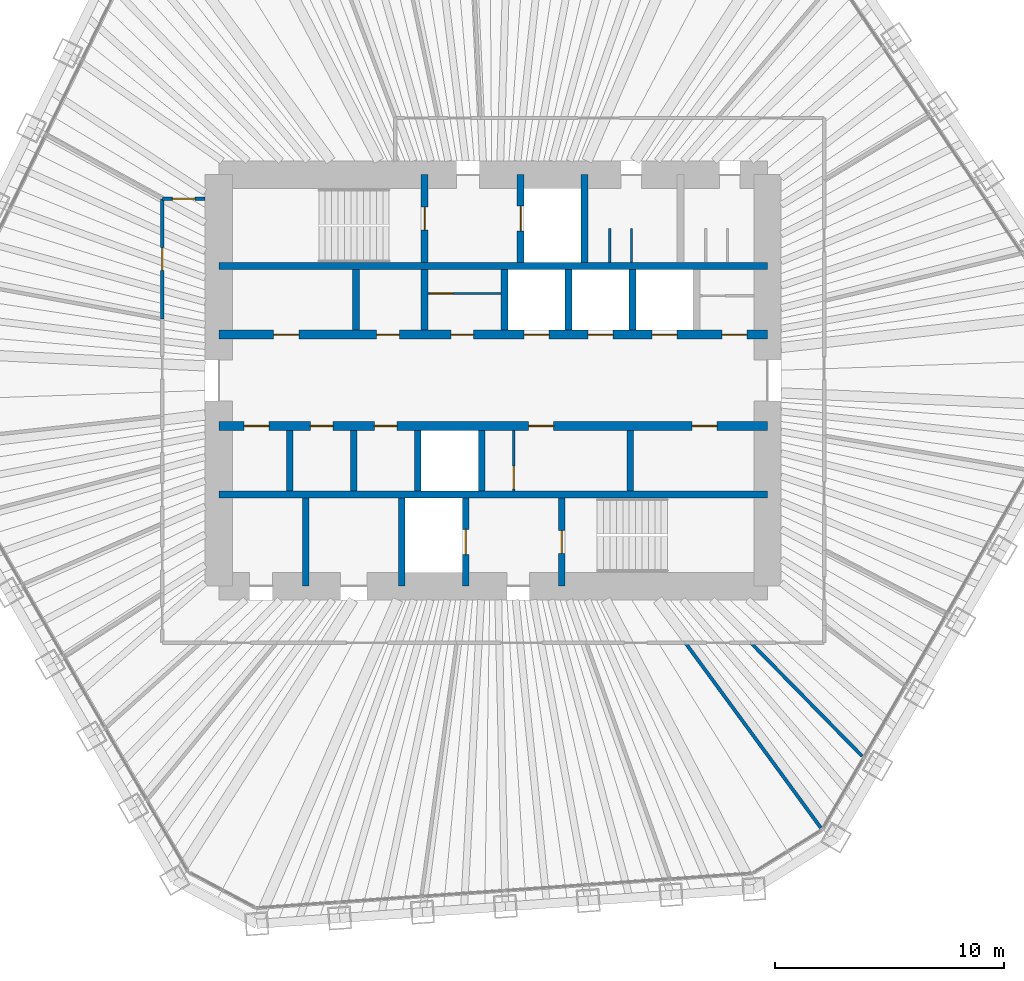
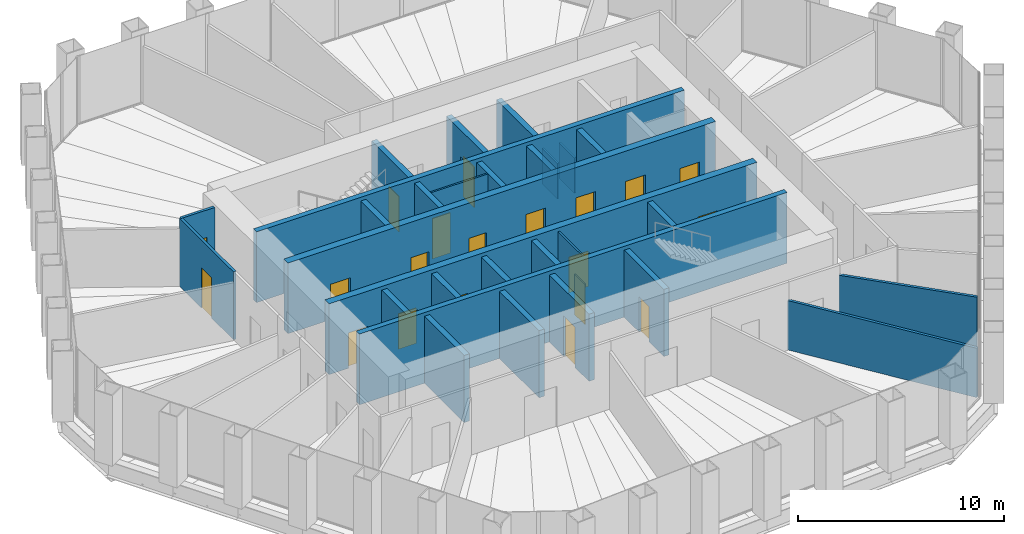
# One storey, part 11 of 14: 29 walls, 20 doors, 20 openings.
"""IFC4 building model written with IfcOpenShell, lengths in metres."""

from ifc_helpers import new_model, si_unit, direction, frame, frame_2d, origin, place, context, subcontext, project, spatial, rectangle, extrude, material, layer, layer_set, type_object, element, fill, save


model = new_model("IFC4")

# Units and contexts
model_context = context("Model", 3, precision=1e-05, world=origin(), true_north=direction((0.0, 1.0)))
body_context = subcontext(model_context, "Body", "Model", "MODEL_VIEW")
ifc_project = project(units=[si_unit("LENGTHUNIT", "METRE"), si_unit("AREAUNIT", "SQUARE_METRE"), si_unit("VOLUMEUNIT", "CUBIC_METRE"), si_unit("PLANEANGLEUNIT", "RADIAN"), si_unit("MASSUNIT", "GRAM", prefix="KILO")], contexts=[model_context])

# Site, building, storey
site_placement = place(None, origin())
site = spatial("IfcSite", under=ifc_project, at=site_placement, CompositionType="ELEMENT")
building_placement = place(site_placement, origin())
building = spatial("IfcBuilding", under=site, at=building_placement, Name="Qingtian Harvest Tower", CompositionType="ELEMENT")
storey_placement = place(building_placement, frame((0.0, 0.0, 243.39990234375)))
storey = spatial("IfcBuildingStorey", under=building, at=storey_placement, Name="L53", CompositionType="ELEMENT", Elevation=243.39990234375)

# Walls
ifc_material_1 = material(Name="Concrete fc' 70 MPa", Category="concrete")
ifc_layer_1 = layer(ifc_material_1, 0.300048828125)
ifc_layer_set_1 = layer_set([ifc_layer_1], Name="Core inner wall RC5 300")
wall_type_1 = type_object("IfcWallType", Name="Core inner wall RC5 300", PredefinedType="SHEAR", material=ifc_layer_set_1)
for number, where, z_axis, x_axis, name in (
    (1, (-12.0, 5.0, 0.0), (0.0, 0.0, 1.0), (1.0, 0.0, 0.0), "Core wall IN5 L53"),
    (2, (-12.0, -5.0, 0.0), (0.0, 0.0, 1.0), (1.0, 0.0, 0.0), "Core wall IS5 L53"),
):
    element("IfcWall", number, at=place(storey_placement, frame(where, z_axis=z_axis, x_axis=x_axis)), inside=storey, type_object=wall_type_1, Name=name, PredefinedType="SHEAR", context=body_context, shape_type="SweptSolid", body=[
        extrude(rectangle(XDim=24.0, YDim=0.300048828125, at=frame_2d((12.0, 0.0))), origin(), (0.0, 0.0, 1.0), 4.2001953125),
    ])

# Wall, openings, doors
ifc_material_2 = material(Name="Concrete fc' 70 MPa", Category="concrete")
ifc_layer_2 = layer(ifc_material_2, 0.39990234375)
ifc_layer_set_2 = layer_set([ifc_layer_2], Name="Core inner web RC6 400")
wall_type_2 = type_object("IfcWallType", Name="Core inner web RC6 400", PredefinedType="SHEAR", material=ifc_layer_set_2)
wall_1_placement = place(storey_placement, frame((-12.0, 2.0, 0.0), z_axis=(0.0, 0.0, 1.0), x_axis=(1.0, 0.0, 0.0)))
wall_1 = element("IfcWall", 3, at=wall_1_placement, inside=storey, type_object=wall_type_2, Name="Core wall IN2 L53", PredefinedType="SHEAR", context=body_context, shape_type="SweptSolid", body=[
    extrude(rectangle(XDim=24.0, YDim=0.39990234375, at=frame_2d((12.0, 0.0))), origin(), (0.0, 0.0, 1.0), 4.2001953125),
])
opening_1_placement = place(wall_1_placement, frame((2.39990234375, 0.0, 0.0)))
opening_1 = element("IfcOpeningElement", 4, at=opening_1_placement, cuts=wall_1, Name="Opening FD4", PredefinedType="OPENING", context=body_context, shape_type="SweptSolid", body=[
    extrude(rectangle(XDim=1.10009765625, YDim=2.10009765625, at=frame_2d((0.550048828125, 1.050048828125))), frame((0.0, 0.2099609375, 0.0), z_axis=(0.0, -1.0, 0.0), x_axis=(1.0, 0.0, 0.0)), (0.0, 0.0, 1.0), 0.419921875),
])
opening_2_placement = place(wall_1_placement, frame((22.0, 0.0, 0.0)))
opening_2 = element("IfcOpeningElement", 5, at=opening_2_placement, cuts=wall_1, Name="Opening FD4", PredefinedType="OPENING", context=body_context, shape_type="SweptSolid", body=[
    extrude(rectangle(XDim=1.10009765625, YDim=2.10009765625, at=frame_2d((0.550048828125, 1.050048828125))), frame((0.0, 0.2099609375, 0.0), z_axis=(0.0, -1.0, 0.0), x_axis=(1.0, 0.0, 0.0)), (0.0, 0.0, 1.0), 0.419921875),
])
opening_3_placement = place(wall_1_placement, frame((10.14990234375, 0.0, 0.0)))
opening_3 = element("IfcOpeningElement", 6, at=opening_3_placement, cuts=wall_1, Name="Opening FD1", PredefinedType="OPENING", context=body_context, shape_type="SweptSolid", body=[
    extrude(rectangle(XDim=1.0, YDim=2.10009765625, at=frame_2d((0.5, 1.050048828125))), frame((0.0, 0.2099609375, 0.0), z_axis=(0.0, -1.0, 0.0), x_axis=(1.0, 0.0, 0.0)), (0.0, 0.0, 1.0), 0.419921875),
])
opening_4_placement = place(wall_1_placement, frame((6.89990234375, 0.0, 0.0)))
opening_4 = element("IfcOpeningElement", 7, at=opening_4_placement, cuts=wall_1, Name="Opening FD1", PredefinedType="OPENING", context=body_context, shape_type="SweptSolid", body=[
    extrude(rectangle(XDim=1.0, YDim=2.10009765625, at=frame_2d((0.5, 1.050048828125))), frame((0.0, 0.2099609375, 0.0), z_axis=(0.0, -1.0, 0.0), x_axis=(1.0, 0.0, 0.0)), (0.0, 0.0, 1.0), 0.419921875),
])
opening_5_placement = place(wall_1_placement, frame((13.35009765625, 0.0, 0.0)))
opening_5 = element("IfcOpeningElement", 8, at=opening_5_placement, cuts=wall_1, Name="Opening LD1", PredefinedType="OPENING", context=body_context, shape_type="SweptSolid", body=[
    extrude(rectangle(XDim=1.10009765625, YDim=2.39990234375, at=frame_2d((0.550048828125, 1.199951171875))), frame((0.0, 0.2099609375, 0.0), z_axis=(0.0, -1.0, 0.0), x_axis=(1.0, 0.0, 0.0)), (0.0, 0.0, 1.0), 0.419921875),
])
opening_6_placement = place(wall_1_placement, frame((16.14990234375, 0.0, 0.0)))
opening_6 = element("IfcOpeningElement", 9, at=opening_6_placement, cuts=wall_1, Name="Opening LD1", PredefinedType="OPENING", context=body_context, shape_type="SweptSolid", body=[
    extrude(rectangle(XDim=1.10009765625, YDim=2.39990234375, at=frame_2d((0.550048828125, 1.199951171875))), frame((0.0, 0.2099609375, 0.0), z_axis=(0.0, -1.0, 0.0), x_axis=(1.0, 0.0, 0.0)), (0.0, 0.0, 1.0), 0.419921875),
])
opening_7_placement = place(wall_1_placement, frame((18.949951171875, 0.0, 0.0)))
opening_7 = element("IfcOpeningElement", 10, at=opening_7_placement, cuts=wall_1, Name="Opening LD1", PredefinedType="OPENING", context=body_context, shape_type="SweptSolid", body=[
    extrude(rectangle(XDim=1.10009765625, YDim=2.39990234375, at=frame_2d((0.550048828125, 1.199951171875))), frame((0.0, 0.2099609375, 0.0), z_axis=(0.0, -1.0, 0.0), x_axis=(1.0, 0.0, 0.0)), (0.0, 0.0, 1.0), 0.419921875),
])
ifc_material_3 = material(Name="Steel-faced door leaf", Category="steel")
door_type_1 = type_object("IfcDoorType", Name="Fire door FD1 single 1 HR", OperationType="SINGLE_SWING_LEFT", PredefinedType="DOOR", material=ifc_material_3)
door_1_placement = place(opening_3_placement, origin())
door_1 = element("IfcDoor", 11, at=door_1_placement, inside=storey, type_object=door_type_1, Name="STA door L53", OperationType="SINGLE_SWING_LEFT", OverallHeight=2.10009765625, OverallWidth=1.0, PredefinedType="DOOR", context=body_context, shape_type="SweptSolid", body=[
    extrude(rectangle(XDim=1.0, YDim=2.10009765625, at=frame_2d((0.5, 1.050048828125))), frame((0.0, 0.02490234375, 0.0), z_axis=(0.0, -1.0, 0.0), x_axis=(1.0, 0.0, 0.0)), (0.0, 0.0, 1.0), 0.050048828125),
])
fill(opening_3, door_1)
door_2_placement = place(opening_4_placement, origin())
door_2 = element("IfcDoor", 12, at=door_2_placement, inside=storey, type_object=door_type_1, Name="IT room door L53", OperationType="SINGLE_SWING_LEFT", OverallHeight=2.10009765625, OverallWidth=1.0, PredefinedType="DOOR", context=body_context, shape_type="SweptSolid", body=[
    extrude(rectangle(XDim=1.0, YDim=2.10009765625, at=frame_2d((0.5, 1.050048828125))), frame((0.0, 0.02490234375, 0.0), z_axis=(0.0, -1.0, 0.0), x_axis=(1.0, 0.0, 0.0)), (0.0, 0.0, 1.0), 0.050048828125),
])
fill(opening_4, door_2)
ifc_material_4 = material(Name="Steel-faced door leaf", Category="steel")
door_type_2 = type_object("IfcDoorType", Name="Fire door FD4 single 2 HR", OperationType="SINGLE_SWING_LEFT", PredefinedType="DOOR", material=ifc_material_4)
door_3_placement = place(opening_1_placement, origin())
door_3 = element("IfcDoor", 13, at=door_3_placement, inside=storey, type_object=door_type_2, Name="RA door L53", OperationType="SINGLE_SWING_LEFT", OverallHeight=2.10009765625, OverallWidth=1.10009765625, PredefinedType="DOOR", context=body_context, shape_type="SweptSolid", body=[
    extrude(rectangle(XDim=1.10009765625, YDim=2.10009765625, at=frame_2d((0.550048828125, 1.050048828125))), frame((0.0, 0.02490234375, 0.0), z_axis=(0.0, -1.0, 0.0), x_axis=(1.0, 0.0, 0.0)), (0.0, 0.0, 1.0), 0.050048828125),
])
fill(opening_1, door_3)
door_4_placement = place(opening_2_placement, origin())
door_4 = element("IfcDoor", 14, at=door_4_placement, inside=storey, type_object=door_type_2, Name="AHU door L53", OperationType="SINGLE_SWING_RIGHT", OverallHeight=2.10009765625, OverallWidth=1.10009765625, PredefinedType="DOOR", context=body_context, shape_type="SweptSolid", body=[
    extrude(rectangle(XDim=1.10009765625, YDim=2.10009765625, at=frame_2d((0.550048828125, 1.050048828125))), frame((0.0, 0.02490234375, 0.0), z_axis=(0.0, -1.0, 0.0), x_axis=(1.0, 0.0, 0.0)), (0.0, 0.0, 1.0), 0.050048828125),
])
fill(opening_2, door_4)
ifc_material_5 = material(Name="Stainless steel lift landing door", Category="steel")
door_type_3 = type_object("IfcDoorType", Name="Lift landing door LD1 1 HR", OperationType="DOUBLE_DOOR_SLIDING", PredefinedType="DOOR", material=ifc_material_5)
door_5_placement = place(opening_5_placement, origin())
door_5 = element("IfcDoor", 15, at=door_5_placement, inside=storey, type_object=door_type_3, Name="PLC1 landing door L53", OperationType="DOUBLE_DOOR_SLIDING", OverallHeight=2.39990234375, OverallWidth=1.10009765625, PredefinedType="DOOR", context=body_context, shape_type="SweptSolid", body=[
    extrude(rectangle(XDim=1.10009765625, YDim=2.39990234375, at=frame_2d((0.550048828125, 1.199951171875))), frame((0.0, 0.02490234375, 0.0), z_axis=(0.0, -1.0, 0.0), x_axis=(1.0, 0.0, 0.0)), (0.0, 0.0, 1.0), 0.050048828125),
])
fill(opening_5, door_5)
door_6_placement = place(opening_6_placement, origin())
door_6 = element("IfcDoor", 16, at=door_6_placement, inside=storey, type_object=door_type_3, Name="PLC2 landing door L53", OperationType="DOUBLE_DOOR_SLIDING", OverallHeight=2.39990234375, OverallWidth=1.10009765625, PredefinedType="DOOR", context=body_context, shape_type="SweptSolid", body=[
    extrude(rectangle(XDim=1.10009765625, YDim=2.39990234375, at=frame_2d((0.550048828125, 1.199951171875))), frame((0.0, 0.02490234375, 0.0), z_axis=(0.0, -1.0, 0.0), x_axis=(1.0, 0.0, 0.0)), (0.0, 0.0, 1.0), 0.050048828125),
])
fill(opening_6, door_6)
door_7_placement = place(opening_7_placement, origin())
door_7 = element("IfcDoor", 17, at=door_7_placement, inside=storey, type_object=door_type_3, Name="PLC3 landing door L53", OperationType="DOUBLE_DOOR_SLIDING", OverallHeight=2.39990234375, OverallWidth=1.10009765625, PredefinedType="DOOR", context=body_context, shape_type="SweptSolid", body=[
    extrude(rectangle(XDim=1.10009765625, YDim=2.39990234375, at=frame_2d((0.550048828125, 1.199951171875))), frame((0.0, 0.02490234375, 0.0), z_axis=(0.0, -1.0, 0.0), x_axis=(1.0, 0.0, 0.0)), (0.0, 0.0, 1.0), 0.050048828125),
])
fill(opening_7, door_7)

wall_2_placement = place(storey_placement, frame((-12.0, -2.0, 0.0), z_axis=(0.0, 0.0, 1.0), x_axis=(1.0, 0.0, 0.0)))
wall_2 = element("IfcWall", 18, at=wall_2_placement, inside=storey, type_object=wall_type_2, Name="Core wall IS2 L53", PredefinedType="SHEAR", context=body_context, shape_type="SweptSolid", body=[
    extrude(rectangle(XDim=24.0, YDim=0.39990234375, at=frame_2d((12.0, 0.0))), origin(), (0.0, 0.0, 1.0), 4.2001953125),
])
opening_8_placement = place(wall_2_placement, frame((1.10009765625, 0.0, 0.0)))
opening_8 = element("IfcOpeningElement", 19, at=opening_8_placement, cuts=wall_2, Name="Opening FD4", PredefinedType="OPENING", context=body_context, shape_type="SweptSolid", body=[
    extrude(rectangle(XDim=1.10009765625, YDim=2.10009765625, at=frame_2d((0.550048828125, 1.050048828125))), frame((0.0, 0.2099609375, 0.0), z_axis=(0.0, -1.0, 0.0), x_axis=(1.0, 0.0, 0.0)), (0.0, 0.0, 1.0), 0.419921875),
])
opening_9_placement = place(wall_2_placement, frame((13.550048828125, 0.0, 0.0)))
opening_9 = element("IfcOpeningElement", 20, at=opening_9_placement, cuts=wall_2, Name="Opening FD4", PredefinedType="OPENING", context=body_context, shape_type="SweptSolid", body=[
    extrude(rectangle(XDim=1.10009765625, YDim=2.10009765625, at=frame_2d((0.550048828125, 1.050048828125))), frame((0.0, 0.2099609375, 0.0), z_axis=(0.0, -1.0, 0.0), x_axis=(1.0, 0.0, 0.0)), (0.0, 0.0, 1.0), 0.419921875),
])
opening_10_placement = place(wall_2_placement, frame((20.699951171875, 0.0, 0.0)))
opening_10 = element("IfcOpeningElement", 21, at=opening_10_placement, cuts=wall_2, Name="Opening FD4", PredefinedType="OPENING", context=body_context, shape_type="SweptSolid", body=[
    extrude(rectangle(XDim=1.10009765625, YDim=2.10009765625, at=frame_2d((0.550048828125, 1.050048828125))), frame((0.0, 0.2099609375, 0.0), z_axis=(0.0, -1.0, 0.0), x_axis=(1.0, 0.0, 0.0)), (0.0, 0.0, 1.0), 0.419921875),
])
opening_11_placement = place(wall_2_placement, frame((4.0, 0.0, 0.0)))
opening_11 = element("IfcOpeningElement", 22, at=opening_11_placement, cuts=wall_2, Name="Opening FD1", PredefinedType="OPENING", context=body_context, shape_type="SweptSolid", body=[
    extrude(rectangle(XDim=1.0, YDim=2.10009765625, at=frame_2d((0.5, 1.050048828125))), frame((0.0, 0.2099609375, 0.0), z_axis=(0.0, -1.0, 0.0), x_axis=(1.0, 0.0, 0.0)), (0.0, 0.0, 1.0), 0.419921875),
])
opening_12_placement = place(wall_2_placement, frame((6.800048828125, 0.0, 0.0)))
opening_12 = element("IfcOpeningElement", 23, at=opening_12_placement, cuts=wall_2, Name="Opening FD1", PredefinedType="OPENING", context=body_context, shape_type="SweptSolid", body=[
    extrude(rectangle(XDim=1.0, YDim=2.10009765625, at=frame_2d((0.5, 1.050048828125))), frame((0.0, 0.2099609375, 0.0), z_axis=(0.0, -1.0, 0.0), x_axis=(1.0, 0.0, 0.0)), (0.0, 0.0, 1.0), 0.419921875),
])
door_8_placement = place(opening_11_placement, origin())
door_8 = element("IfcDoor", 24, at=door_8_placement, inside=storey, type_object=door_type_1, Name="Store door L53", OperationType="SINGLE_SWING_RIGHT", OverallHeight=2.10009765625, OverallWidth=1.0, PredefinedType="DOOR", context=body_context, shape_type="SweptSolid", body=[
    extrude(rectangle(XDim=1.0, YDim=2.10009765625, at=frame_2d((0.5, 1.050048828125))), frame((0.0, 0.02490234375, 0.0), z_axis=(0.0, -1.0, 0.0), x_axis=(1.0, 0.0, 0.0)), (0.0, 0.0, 1.0), 0.050048828125),
])
fill(opening_11, door_8)
door_9_placement = place(opening_12_placement, origin())
door_9 = element("IfcDoor", 25, at=door_9_placement, inside=storey, type_object=door_type_1, Name="Linen store door L53", OperationType="SINGLE_SWING_RIGHT", OverallHeight=2.10009765625, OverallWidth=1.0, PredefinedType="DOOR", context=body_context, shape_type="SweptSolid", body=[
    extrude(rectangle(XDim=1.0, YDim=2.10009765625, at=frame_2d((0.5, 1.050048828125))), frame((0.0, 0.02490234375, 0.0), z_axis=(0.0, -1.0, 0.0), x_axis=(1.0, 0.0, 0.0)), (0.0, 0.0, 1.0), 0.050048828125),
])
fill(opening_12, door_9)
door_10_placement = place(opening_8_placement, origin())
door_10 = element("IfcDoor", 26, at=door_10_placement, inside=storey, type_object=door_type_2, Name="RB door L53", OperationType="SINGLE_SWING_RIGHT", OverallHeight=2.10009765625, OverallWidth=1.10009765625, PredefinedType="DOOR", context=body_context, shape_type="SweptSolid", body=[
    extrude(rectangle(XDim=1.10009765625, YDim=2.10009765625, at=frame_2d((0.550048828125, 1.050048828125))), frame((0.0, 0.02490234375, 0.0), z_axis=(0.0, -1.0, 0.0), x_axis=(1.0, 0.0, 0.0)), (0.0, 0.0, 1.0), 0.050048828125),
])
fill(opening_8, door_10)
door_11_placement = place(opening_9_placement, origin())
door_11 = element("IfcDoor", 27, at=door_11_placement, inside=storey, type_object=door_type_2, Name="ELEC door L53", OperationType="SINGLE_SWING_LEFT", OverallHeight=2.10009765625, OverallWidth=1.10009765625, PredefinedType="DOOR", context=body_context, shape_type="SweptSolid", body=[
    extrude(rectangle(XDim=1.10009765625, YDim=2.10009765625, at=frame_2d((0.550048828125, 1.050048828125))), frame((0.0, 0.02490234375, 0.0), z_axis=(0.0, -1.0, 0.0), x_axis=(1.0, 0.0, 0.0)), (0.0, 0.0, 1.0), 0.050048828125),
])
fill(opening_9, door_11)
door_12_placement = place(opening_10_placement, origin())
door_12 = element("IfcDoor", 28, at=door_12_placement, inside=storey, type_object=door_type_2, Name="DUCT door L53", OperationType="SINGLE_SWING_LEFT", OverallHeight=2.10009765625, OverallWidth=1.10009765625, PredefinedType="DOOR", context=body_context, shape_type="SweptSolid", body=[
    extrude(rectangle(XDim=1.10009765625, YDim=2.10009765625, at=frame_2d((0.550048828125, 1.050048828125))), frame((0.0, 0.02490234375, 0.0), z_axis=(0.0, -1.0, 0.0), x_axis=(1.0, 0.0, 0.0)), (0.0, 0.0, 1.0), 0.050048828125),
])
fill(opening_10, door_12)

# Wall, opening, door
ifc_material_6 = material(Name="Precast concrete shaft panel", Category="concrete")
ifc_layer_3 = layer(ifc_material_6, 0.300048828125)
ifc_layer_set_3 = layer_set([ifc_layer_3], Name="Core shaft partition SW1 300")
wall_type_3 = type_object("IfcWallType", Name="Core shaft partition SW1 300", PredefinedType="PARTITIONING", material=ifc_layer_set_3)
wall_3_placement = place(storey_placement, frame((-3.0, 5.14990234375, 0.0), z_axis=(0.0, 0.0, 1.0), x_axis=(0.0, 1.0, 0.0)))
wall_3 = element("IfcWall", 29, at=wall_3_placement, inside=storey, type_object=wall_type_3, Name="Core shaft partition XN1 L53", PredefinedType="PARTITIONING", context=body_context, shape_type="SweptSolid", body=[
    extrude(rectangle(XDim=3.85009765625, YDim=0.300048828125, at=frame_2d((1.925048828125, 0.0))), origin(), (0.0, 0.0, 1.0), 3.97998046875),
])
opening_13_placement = place(wall_3_placement, frame((1.425048828125, 0.0, 0.0)))
opening_13 = element("IfcOpeningElement", 30, at=opening_13_placement, cuts=wall_3, Name="Opening FD1", PredefinedType="OPENING", context=body_context, shape_type="SweptSolid", body=[
    extrude(rectangle(XDim=1.0, YDim=2.10009765625, at=frame_2d((0.5, 1.050048828125))), frame((0.0, 0.159912109375, 0.0), z_axis=(0.0, -1.0, 0.0), x_axis=(1.0, 0.0, 0.0)), (0.0, 0.0, 1.0), 0.320068359375),
])
door_13_placement = place(opening_13_placement, origin())
door_13 = element("IfcDoor", 31, at=door_13_placement, inside=storey, type_object=door_type_1, Name="S1 door L53", OperationType="SINGLE_SWING_RIGHT", OverallHeight=2.10009765625, OverallWidth=1.0, PredefinedType="DOOR", context=body_context, shape_type="SweptSolid", body=[
    extrude(rectangle(XDim=1.0, YDim=2.10009765625, at=frame_2d((0.5, 1.050048828125))), frame((0.0, 0.02490234375, 0.0), z_axis=(0.0, -1.0, 0.0), x_axis=(1.0, 0.0, 0.0)), (0.0, 0.0, 1.0), 0.050048828125),
])
fill(opening_13, door_13)

wall_4_placement = place(storey_placement, frame((1.199951171875, 5.14990234375, 0.0), z_axis=(0.0, 0.0, 1.0), x_axis=(0.0, 1.0, 0.0)))
wall_4 = element("IfcWall", 32, at=wall_4_placement, inside=storey, type_object=wall_type_3, Name="Core shaft partition XN2 L53", PredefinedType="PARTITIONING", context=body_context, shape_type="SweptSolid", body=[
    extrude(rectangle(XDim=3.85009765625, YDim=0.300048828125, at=frame_2d((1.925048828125, 0.0))), origin(), (0.0, 0.0, 1.0), 3.97998046875),
])
opening_14_placement = place(wall_4_placement, frame((1.375, 0.0, 0.0)))
opening_14 = element("IfcOpeningElement", 33, at=opening_14_placement, cuts=wall_4, Name="Opening LD1", PredefinedType="OPENING", context=body_context, shape_type="SweptSolid", body=[
    extrude(rectangle(XDim=1.10009765625, YDim=2.39990234375, at=frame_2d((0.550048828125, 1.199951171875))), frame((0.0, 0.159912109375, 0.0), z_axis=(0.0, -1.0, 0.0), x_axis=(1.0, 0.0, 0.0)), (0.0, 0.0, 1.0), 0.320068359375),
])
door_14_placement = place(opening_14_placement, origin())
door_14 = element("IfcDoor", 34, at=door_14_placement, inside=storey, type_object=door_type_3, Name="FL1 landing door L53", OperationType="DOUBLE_DOOR_SLIDING", OverallHeight=2.39990234375, OverallWidth=1.10009765625, PredefinedType="DOOR", context=body_context, shape_type="SweptSolid", body=[
    extrude(rectangle(XDim=1.10009765625, YDim=2.39990234375, at=frame_2d((0.550048828125, 1.199951171875))), frame((0.0, 0.02490234375, 0.0), z_axis=(0.0, -1.0, 0.0), x_axis=(1.0, 0.0, 0.0)), (0.0, 0.0, 1.0), 0.050048828125),
])
fill(opening_14, door_14)

# Walls
wall_5_placement = place(storey_placement, frame((4.0, 5.14990234375, 0.0), z_axis=(0.0, 0.0, 1.0), x_axis=(0.0, 1.0, 0.0)))
element("IfcWall", 35, at=wall_5_placement, inside=storey, type_object=wall_type_3, Name="Core shaft partition XN3 L53", PredefinedType="PARTITIONING", context=body_context, shape_type="SweptSolid", body=[
    extrude(rectangle(XDim=3.85009765625, YDim=0.300048828125, at=frame_2d((1.925048828125, 0.0))), origin(), (0.0, 0.0, 1.0), 3.97998046875),
])
for number, where, z_axis, x_axis, name in (
    (36, (-6.0, 2.199951171875, 0.0), (0.0, 0.0, 1.0), (0.0, 1.0, 0.0), "Core shaft partition XA1 L53"),
    (37, (-3.0, 2.199951171875, 0.0), (0.0, 0.0, 1.0), (0.0, 1.0, 0.0), "Core shaft partition XA2 L53"),
    (38, (0.5, 2.199951171875, 0.0), (0.0, 0.0, 1.0), (0.0, 1.0, 0.0), "Core shaft partition XA3 L53"),
    (39, (3.300048828125, 2.199951171875, 0.0), (0.0, 0.0, 1.0), (0.0, 1.0, 0.0), "Core shaft partition XA4 L53"),
    (40, (6.10009765625, 2.199951171875, 0.0), (0.0, 0.0, 1.0), (0.0, 1.0, 0.0), "Core shaft partition XA5 L53"),
    (41, (-8.89990234375, -4.85009765625, 0.0), (0.0, 0.0, 1.0), (0.0, 1.0, 0.0), "Core shaft partition XB1 L53"),
    (42, (-6.10009765625, -4.85009765625, 0.0), (0.0, 0.0, 1.0), (0.0, 1.0, 0.0), "Core shaft partition XB2 L53"),
    (43, (-3.300048828125, -4.85009765625, 0.0), (0.0, 0.0, 1.0), (0.0, 1.0, 0.0), "Core shaft partition XB3 L53"),
    (44, (-0.5, -4.85009765625, 0.0), (0.0, 0.0, 1.0), (0.0, 1.0, 0.0), "Core shaft partition XB4 L53"),
    (45, (6.0, -4.85009765625, 0.0), (0.0, 0.0, 1.0), (0.0, 1.0, 0.0), "Core shaft partition XB5 L53"),
):
    element("IfcWall", number, at=place(storey_placement, frame(where, z_axis=z_axis, x_axis=x_axis)), inside=storey, type_object=wall_type_3, Name=name, PredefinedType="PARTITIONING", context=body_context, shape_type="SweptSolid", body=[
        extrude(rectangle(XDim=2.650146484375, YDim=0.300048828125, at=frame_2d((1.3251953125, 0.0))), origin(), (0.0, 0.0, 1.0), 3.97998046875),
    ])
for number, where, z_axis, x_axis, name in (
    (46, (-8.199951171875, -9.0, 0.0), (0.0, 0.0, 1.0), (0.0, 1.0, 0.0), "Core shaft partition XS1 L53"),
    (47, (-4.0, -9.0, 0.0), (0.0, 0.0, 1.0), (0.0, 1.0, 0.0), "Core shaft partition XS2 L53"),
):
    element("IfcWall", number, at=place(storey_placement, frame(where, z_axis=z_axis, x_axis=x_axis)), inside=storey, type_object=wall_type_3, Name=name, PredefinedType="PARTITIONING", context=body_context, shape_type="SweptSolid", body=[
        extrude(rectangle(XDim=3.85009765625, YDim=0.300048828125, at=frame_2d((1.925048828125, 0.0))), origin(), (0.0, 0.0, 1.0), 3.97998046875),
    ])

# Wall, opening, door
wall_6_placement = place(storey_placement, frame((-1.199951171875, -9.0, 0.0), z_axis=(0.0, 0.0, 1.0), x_axis=(0.0, 1.0, 0.0)))
wall_6 = element("IfcWall", 48, at=wall_6_placement, inside=storey, type_object=wall_type_3, Name="Core shaft partition XS3 L53", PredefinedType="PARTITIONING", context=body_context, shape_type="SweptSolid", body=[
    extrude(rectangle(XDim=3.85009765625, YDim=0.300048828125, at=frame_2d((1.925048828125, 0.0))), origin(), (0.0, 0.0, 1.0), 3.97998046875),
])
opening_15_placement = place(wall_6_placement, frame((1.375, 0.0, 0.0)))
opening_15 = element("IfcOpeningElement", 49, at=opening_15_placement, cuts=wall_6, Name="Opening LD1", PredefinedType="OPENING", context=body_context, shape_type="SweptSolid", body=[
    extrude(rectangle(XDim=1.10009765625, YDim=2.39990234375, at=frame_2d((0.550048828125, 1.199951171875))), frame((0.0, 0.159912109375, 0.0), z_axis=(0.0, -1.0, 0.0), x_axis=(1.0, 0.0, 0.0)), (0.0, 0.0, 1.0), 0.320068359375),
])
door_15_placement = place(opening_15_placement, origin())
door_15 = element("IfcDoor", 50, at=door_15_placement, inside=storey, type_object=door_type_3, Name="FL2 landing door L53", OperationType="DOUBLE_DOOR_SLIDING", OverallHeight=2.39990234375, OverallWidth=1.10009765625, PredefinedType="DOOR", context=body_context, shape_type="SweptSolid", body=[
    extrude(rectangle(XDim=1.10009765625, YDim=2.39990234375, at=frame_2d((0.550048828125, 1.199951171875))), frame((0.0, 0.02490234375, 0.0), z_axis=(0.0, -1.0, 0.0), x_axis=(1.0, 0.0, 0.0)), (0.0, 0.0, 1.0), 0.050048828125),
])
fill(opening_15, door_15)

wall_7_placement = place(storey_placement, frame((3.0, -9.0, 0.0), z_axis=(0.0, 0.0, 1.0), x_axis=(0.0, 1.0, 0.0)))
wall_7 = element("IfcWall", 51, at=wall_7_placement, inside=storey, type_object=wall_type_3, Name="Core shaft partition XS4 L53", PredefinedType="PARTITIONING", context=body_context, shape_type="SweptSolid", body=[
    extrude(rectangle(XDim=3.85009765625, YDim=0.300048828125, at=frame_2d((1.925048828125, 0.0))), origin(), (0.0, 0.0, 1.0), 3.97998046875),
])
opening_16_placement = place(wall_7_placement, frame((1.425048828125, 0.0, 0.0)))
opening_16 = element("IfcOpeningElement", 52, at=opening_16_placement, cuts=wall_7, Name="Opening FD1", PredefinedType="OPENING", context=body_context, shape_type="SweptSolid", body=[
    extrude(rectangle(XDim=1.0, YDim=2.10009765625, at=frame_2d((0.5, 1.050048828125))), frame((0.0, 0.159912109375, 0.0), z_axis=(0.0, -1.0, 0.0), x_axis=(1.0, 0.0, 0.0)), (0.0, 0.0, 1.0), 0.320068359375),
])
door_16_placement = place(opening_16_placement, origin())
door_16 = element("IfcDoor", 53, at=door_16_placement, inside=storey, type_object=door_type_1, Name="S2 door L53", OperationType="SINGLE_SWING_RIGHT", OverallHeight=2.10009765625, OverallWidth=1.0, PredefinedType="DOOR", context=body_context, shape_type="SweptSolid", body=[
    extrude(rectangle(XDim=1.0, YDim=2.10009765625, at=frame_2d((0.5, 1.050048828125))), frame((0.0, 0.02490234375, 0.0), z_axis=(0.0, -1.0, 0.0), x_axis=(1.0, 0.0, 0.0)), (0.0, 0.0, 1.0), 0.050048828125),
])
fill(opening_16, door_16)

ifc_material_7 = material(Name="Gypsum board on steel studs", Category="steel")
ifc_layer_4 = layer(ifc_material_7, 0.14990234375)
ifc_layer_set_4 = layer_set([ifc_layer_4], Name="Partition PT1 150")
wall_type_4 = type_object("IfcWallType", Name="Partition PT1 150", PredefinedType="PARTITIONING", material=ifc_layer_set_4)
wall_8_placement = place(storey_placement, frame((-14.47509765625, 2.67578125, 0.0), z_axis=(0.0, 0.0, 1.0), x_axis=(0.0, 1.0, 0.0)))
wall_8 = element("IfcWall", 54, at=wall_8_placement, inside=storey, type_object=wall_type_4, Name="Meeting room wall L53", PredefinedType="PARTITIONING", context=body_context, shape_type="SweptSolid", body=[
    extrude(rectangle(XDim=5.265625, YDim=0.14990234375, at=frame_2d((2.6328125, 0.0))), origin(), (0.0, 0.0, 1.0), 4.030029296875),
])
opening_17_placement = place(wall_8_placement, frame((2.1328125, 0.0, 0.0)))
opening_17 = element("IfcOpeningElement", 55, at=opening_17_placement, cuts=wall_8, Name="Opening D2", PredefinedType="OPENING", context=body_context, shape_type="SweptSolid", body=[
    extrude(rectangle(XDim=1.0, YDim=2.39990234375, at=frame_2d((0.5, 1.199951171875))), frame((0.0, 0.0849609375, 0.0), z_axis=(0.0, -1.0, 0.0), x_axis=(1.0, 0.0, 0.0)), (0.0, 0.0, 1.0), 0.169921875),
])
ifc_material_8 = material(Name="Laminated timber door leaf", Category="wood")
door_type_4 = type_object("IfcDoorType", Name="Room door D2 single", OperationType="SINGLE_SWING_LEFT", PredefinedType="DOOR", material=ifc_material_8)
door_17_placement = place(opening_17_placement, origin())
door_17 = element("IfcDoor", 56, at=door_17_placement, inside=storey, type_object=door_type_4, Name="Meeting room door L53", OperationType="SINGLE_SWING_RIGHT", OverallHeight=2.39990234375, OverallWidth=1.0, PredefinedType="DOOR", context=body_context, shape_type="SweptSolid", body=[
    extrude(rectangle(XDim=1.0, YDim=2.39990234375, at=frame_2d((0.5, 1.199951171875))), frame((0.0, 0.02490234375, 0.0), z_axis=(0.0, -1.0, 0.0), x_axis=(1.0, 0.0, 0.0)), (0.0, 0.0, 1.0), 0.050048828125),
])
fill(opening_17, door_17)

wall_9_placement = place(storey_placement, frame((-14.47509765625, 7.94140625, 0.0), z_axis=(0.0, 0.0, 1.0), x_axis=(1.0, 0.0, 0.0)))
wall_9 = element("IfcWall", 57, at=wall_9_placement, inside=storey, type_object=wall_type_4, Name="Workplace zone wall L53", PredefinedType="PARTITIONING", context=body_context, shape_type="SweptSolid", body=[
    extrude(rectangle(XDim=1.875, YDim=0.14990234375, at=frame_2d((0.9375, 0.0))), origin(), (0.0, 0.0, 1.0), 4.030029296875),
])
opening_18_placement = place(wall_9_placement, frame((0.4375, 0.0, 0.0)))
opening_18 = element("IfcOpeningElement", 58, at=opening_18_placement, cuts=wall_9, Name="Opening D2", PredefinedType="OPENING", context=body_context, shape_type="SweptSolid", body=[
    extrude(rectangle(XDim=1.0, YDim=2.39990234375, at=frame_2d((0.5, 1.199951171875))), frame((0.0, 0.0849609375, 0.0), z_axis=(0.0, -1.0, 0.0), x_axis=(1.0, 0.0, 0.0)), (0.0, 0.0, 1.0), 0.169921875),
])
door_18_placement = place(opening_18_placement, origin())
door_18 = element("IfcDoor", 59, at=door_18_placement, inside=storey, type_object=door_type_4, Name="Workplace zone door L53", OperationType="SINGLE_SWING_RIGHT", OverallHeight=2.39990234375, OverallWidth=1.0, PredefinedType="DOOR", context=body_context, shape_type="SweptSolid", body=[
    extrude(rectangle(XDim=1.0, YDim=2.39990234375, at=frame_2d((0.5, 1.199951171875))), frame((0.0, 0.02490234375, 0.0), z_axis=(0.0, -1.0, 0.0), x_axis=(1.0, 0.0, 0.0)), (0.0, 0.0, 1.0), 0.050048828125),
])
fill(opening_18, door_18)

# Walls
wall_10_placement = place(storey_placement, frame((16.14453125, -16.4443359375, 0.0), z_axis=(0.0, 0.0, 1.0), x_axis=(-0.700591378209, 0.71356269576, 0.0)))
element("IfcWall", 60, at=wall_10_placement, inside=storey, type_object=wall_type_4, Name="Private office wall L53", PredefinedType="PARTITIONING", context=body_context, shape_type="SweptSolid", body=[
    extrude(rectangle(XDim=6.9638671875, YDim=0.14990234375, at=frame_2d((3.48193359375, 0.0))), origin(), (0.0, 0.0, 1.0), 3.43017578125),
])
wall_11_placement = place(storey_placement, frame((14.338623046875, -19.581787109375, 0.0), z_axis=(0.0, 0.0, 1.0), x_axis=(-0.590789413226, 0.806825798559, 0.0)))
element("IfcWall", 61, at=wall_11_placement, inside=storey, type_object=wall_type_4, Name="Private office wall L53", PredefinedType="PARTITIONING", context=body_context, shape_type="SweptSolid", body=[
    extrude(rectangle(XDim=10.047607421875, YDim=0.14990234375, at=frame_2d((5.02392578125, 0.0))), origin(), (0.0, 0.0, 1.0), 2.93017578125),
])

# Wall, opening, door
ifc_material_9 = material(Name="Concrete block partition", Category="concrete")
ifc_layer_5 = layer(ifc_material_9, 0.10009765625)
ifc_layer_set_5 = layer_set([ifc_layer_5], Name="Store partition PT3 100")
wall_type_5 = type_object("IfcWallType", Name="Store partition PT3 100", PredefinedType="PARTITIONING", material=ifc_layer_set_5)
wall_12_placement = place(storey_placement, frame((-2.85009765625, 3.800048828125, 0.0), z_axis=(0.0, 0.0, 1.0), x_axis=(1.0, 0.0, 0.0)))
wall_12 = element("IfcWall", 62, at=wall_12_placement, inside=storey, type_object=wall_type_5, Name="Stationery store wall L53", PredefinedType="PARTITIONING", context=body_context, shape_type="SweptSolid", body=[
    extrude(rectangle(XDim=3.2001953125, YDim=0.10009765625, at=frame_2d((1.60009765625, 0.0))), origin(), (0.0, 0.0, 1.0), 3.97998046875),
])
opening_19_placement = place(wall_12_placement, frame((0.10009765625, 0.0, 0.0)))
opening_19 = element("IfcOpeningElement", 63, at=opening_19_placement, cuts=wall_12, Name="Opening D2", PredefinedType="OPENING", context=body_context, shape_type="SweptSolid", body=[
    extrude(rectangle(XDim=1.0, YDim=2.39990234375, at=frame_2d((0.5, 1.199951171875))), frame((0.0, 0.06005859375, 0.0), z_axis=(0.0, -1.0, 0.0), x_axis=(1.0, 0.0, 0.0)), (0.0, 0.0, 1.0), 0.1201171875),
])
door_19_placement = place(opening_19_placement, origin())
door_19 = element("IfcDoor", 64, at=door_19_placement, inside=storey, type_object=door_type_4, Name="Stationery store door L53", OperationType="SINGLE_SWING_RIGHT", OverallHeight=2.39990234375, OverallWidth=1.0, PredefinedType="DOOR", context=body_context, shape_type="SweptSolid", body=[
    extrude(rectangle(XDim=1.0, YDim=2.39990234375, at=frame_2d((0.5, 1.199951171875))), frame((0.0, 0.02490234375, 0.0), z_axis=(0.0, -1.0, 0.0), x_axis=(1.0, 0.0, 0.0)), (0.0, 0.0, 1.0), 0.050048828125),
])
fill(opening_19, door_19)

wall_13_placement = place(storey_placement, frame((0.89990234375, -4.85009765625, 0.0), z_axis=(0.0, 0.0, 1.0), x_axis=(0.0, 1.0, 0.0)))
wall_13 = element("IfcWall", 65, at=wall_13_placement, inside=storey, type_object=wall_type_5, Name="Comms room wall L53", PredefinedType="PARTITIONING", context=body_context, shape_type="SweptSolid", body=[
    extrude(rectangle(XDim=2.650146484375, YDim=0.10009765625, at=frame_2d((1.3251953125, 0.0))), origin(), (0.0, 0.0, 1.0), 3.97998046875),
])
opening_20_placement = place(wall_13_placement, frame((0.10009765625, 0.0, 0.0)))
opening_20 = element("IfcOpeningElement", 66, at=opening_20_placement, cuts=wall_13, Name="Opening D2", PredefinedType="OPENING", context=body_context, shape_type="SweptSolid", body=[
    extrude(rectangle(XDim=1.0, YDim=2.39990234375, at=frame_2d((0.5, 1.199951171875))), frame((0.0, 0.06005859375, 0.0), z_axis=(0.0, -1.0, 0.0), x_axis=(1.0, 0.0, 0.0)), (0.0, 0.0, 1.0), 0.1201171875),
])
door_20_placement = place(opening_20_placement, origin())
door_20 = element("IfcDoor", 67, at=door_20_placement, inside=storey, type_object=door_type_4, Name="Comms room door L53", OperationType="SINGLE_SWING_RIGHT", OverallHeight=2.39990234375, OverallWidth=1.0, PredefinedType="DOOR", context=body_context, shape_type="SweptSolid", body=[
    extrude(rectangle(XDim=1.0, YDim=2.39990234375, at=frame_2d((0.5, 1.199951171875))), frame((0.0, 0.02490234375, 0.0), z_axis=(0.0, -1.0, 0.0), x_axis=(1.0, 0.0, 0.0)), (0.0, 0.0, 1.0), 0.050048828125),
])
fill(opening_20, door_20)

# Walls
ifc_material_10 = material(Name="Compact laminate cubicle partition", Category="plastic")
ifc_layer_6 = layer(ifc_material_10, 0.10009765625)
ifc_layer_set_6 = layer_set([ifc_layer_6], Name="WC cubicle partition WP1 100")
wall_type_6 = type_object("IfcWallType", Name="WC cubicle partition WP1 100", PredefinedType="PARTITIONING", material=ifc_layer_set_6)
for number, where, z_axis, x_axis, name in (
    (68, (5.10009765625, 5.14990234375, 0.0), (0.0, 0.0, 1.0), (0.0, 1.0, 0.0), "WC cubicle partition WCM L53"),
    (69, (6.050048828125, 5.14990234375, 0.0), (0.0, 0.0, 1.0), (0.0, 1.0, 0.0), "WC cubicle partition WCM L53"),
):
    element("IfcWall", number, at=place(storey_placement, frame(where, z_axis=z_axis, x_axis=x_axis)), inside=storey, type_object=wall_type_6, Name=name, PredefinedType="PARTITIONING", context=body_context, shape_type="SweptSolid", body=[
        extrude(rectangle(XDim=1.5, YDim=0.10009765625, at=frame_2d((0.75, 0.0))), origin(), (0.0, 0.0, 1.0), 2.10009765625),
    ])

save(model, "model.ifc")
